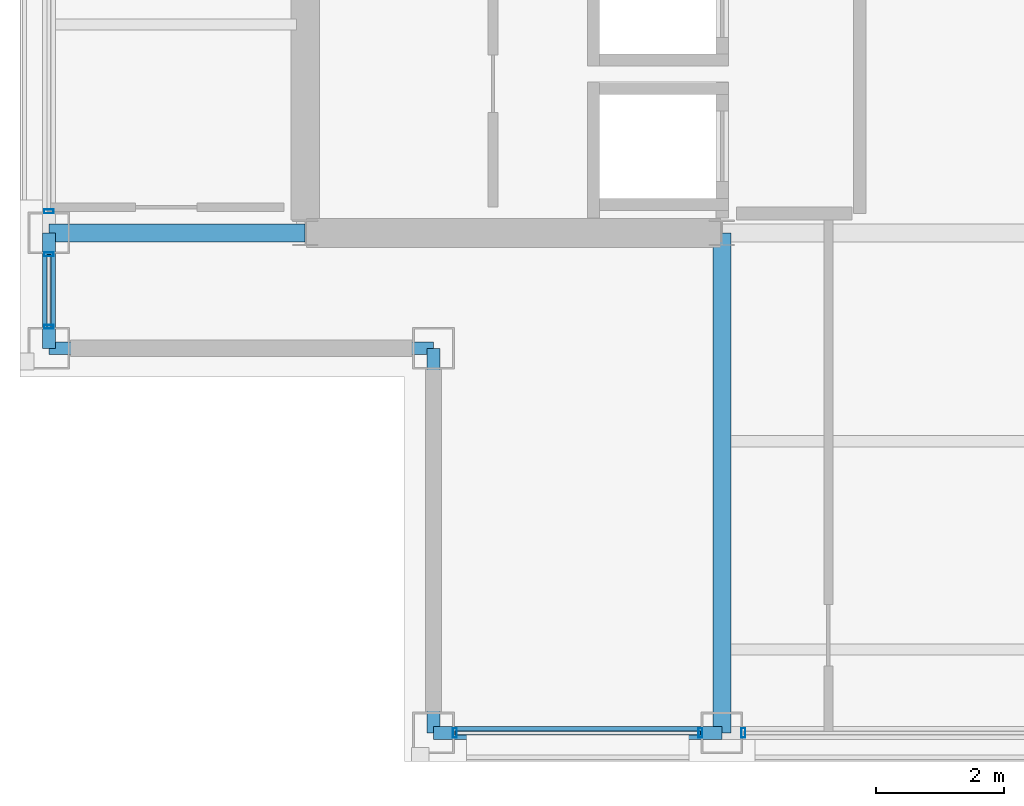
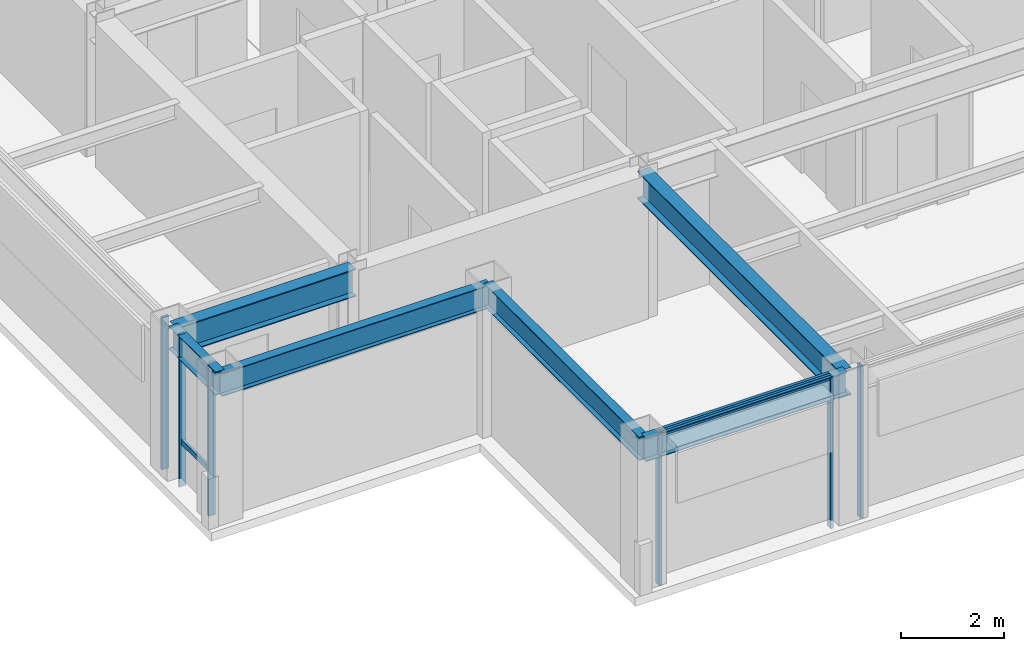
# One storey, part 3 of 24: 8 members, 6 beams, 4 elements without a shape of their own.
"""IFC4 building model written with IfcOpenShell, lengths in metres."""

from ifc_helpers import new_model, si_unit, direction, frame, origin, origin_2d, place, context, subcontext, project, spatial, hollow_rectangle, i_section, extrude, material, layer, layer_set, material_profile, profile_set, type_object, element, aggregate, save


model = new_model("IFC4")

# Units and contexts
model_context = context("Model", 3, precision=1e-05, world=origin(), true_north=direction((0.0, 1.0)))
body_context = subcontext(model_context, "Body", "Model", "MODEL_VIEW")
ifc_project = project(units=[si_unit("LENGTHUNIT", "METRE"), si_unit("AREAUNIT", "SQUARE_METRE"), si_unit("VOLUMEUNIT", "CUBIC_METRE"), si_unit("PLANEANGLEUNIT", "RADIAN"), si_unit("MASSUNIT", "GRAM", prefix="KILO")], contexts=[model_context])

# Site, building, storey
site_placement = place(None, origin())
site = spatial("IfcSite", under=ifc_project, at=site_placement, CompositionType="ELEMENT")
building_placement = place(site_placement, origin())
building = spatial("IfcBuilding", under=site, at=building_placement, Name="Brelmoor Portico Tower", CompositionType="ELEMENT")
storey_placement = place(building_placement, frame((0.0, 0.0, 229.199951171875)))
storey = spatial("IfcBuildingStorey", under=building, at=storey_placement, Name="L60", CompositionType="ELEMENT", Elevation=229.199951171875)

# Beams
ifc_material_1 = material(Name="Steel Q355B", Category="steel")
ifc_material_profile_1 = material_profile(ifc_material_1, i_section(OverallWidth=0.280029296875, OverallDepth=0.64990234375, WebThickness=0.012939453125, FlangeThickness=0.02197265625, at=origin_2d()), Name="HN 650x280x13x22")
ifc_profile_set_1 = profile_set([ifc_material_profile_1], Name="Steel Q355B")
beam_type_1 = type_object("IfcBeamType", Name="BM-PG-650", PredefinedType="BEAM", material=ifc_profile_set_1)
beam_1_placement = place(storey_placement, frame((-8.050048828125, -17.550048828125, 3.074951171875), z_axis=(0.0, 1.0, 0.0), x_axis=(-1.0, 0.0, 0.0)))
element("IfcBeam", 1, at=beam_1_placement, inside=storey, type_object=beam_type_1, Name="L60 Primary Floor Girder PG-03", PredefinedType="BEAM", context=body_context, shape_type="SweptSolid", body=[
    extrude(i_section(OverallWidth=0.280029296875, OverallDepth=0.64990234375, WebThickness=0.012939453125, FlangeThickness=0.02197265625, at=origin_2d()), origin(), (0.0, 0.0, 1.0), 7.800048828125),
])
beam_2_placement = place(storey_placement, frame((-18.550048828125, -9.75, 3.074951171875), z_axis=(1.0, 0.0, 0.0), x_axis=(0.0, 1.0, 0.0)))
element("IfcBeam", 2, at=beam_2_placement, inside=storey, type_object=beam_type_1, Name="L60 Primary Floor Girder PG-11", PredefinedType="BEAM", context=body_context, shape_type="SweptSolid", body=[
    extrude(i_section(OverallWidth=0.280029296875, OverallDepth=0.64990234375, WebThickness=0.012939453125, FlangeThickness=0.02197265625, at=origin_2d()), origin(), (0.0, 0.0, 1.0), 4.0),
])
ifc_material_profile_2 = material_profile(ifc_material_1, i_section(OverallWidth=0.199951171875, OverallDepth=0.550048828125, WebThickness=0.010009765625, FlangeThickness=0.01611328125, at=origin_2d()), Name="HN 550x200x10x16")
ifc_profile_set_2 = profile_set([ifc_material_profile_2], Name="Steel Q355B")
beam_type_2 = type_object("IfcBeamType", Name="BM-SP-550", PredefinedType="SPANDREL", material=ifc_profile_set_2)
beam_3_placement = place(storey_placement, frame((-12.550048828125, -17.550048828125, 3.125), z_axis=(1.0, 0.0, 0.0), x_axis=(0.0, 1.0, 0.0)))
element("IfcBeam", 3, at=beam_3_placement, inside=storey, type_object=beam_type_2, Name="L60 Perimeter Spandrel Beam SP-01", PredefinedType="SPANDREL", context=body_context, shape_type="SweptSolid", body=[
    extrude(i_section(OverallWidth=0.199951171875, OverallDepth=0.550048828125, WebThickness=0.010009765625, FlangeThickness=0.01611328125, at=origin_2d()), origin(), (0.0, 0.0, 1.0), 4.5),
])
beam_4_placement = place(storey_placement, frame((-18.550048828125, -11.550048828125, 3.125), z_axis=(1.0, 0.0, 0.0), x_axis=(0.0, 1.0, 0.0)))
element("IfcBeam", 4, at=beam_4_placement, inside=storey, type_object=beam_type_2, Name="L60 Perimeter Spandrel Beam SP-04", PredefinedType="SPANDREL", context=body_context, shape_type="SweptSolid", body=[
    extrude(i_section(OverallWidth=0.199951171875, OverallDepth=0.550048828125, WebThickness=0.010009765625, FlangeThickness=0.01611328125, at=origin_2d()), origin(), (0.0, 0.0, 1.0), 6.0),
])
beam_5_placement = place(storey_placement, frame((-18.550048828125, -11.550048828125, 3.125), z_axis=(0.0, 1.0, 0.0), x_axis=(-1.0, 0.0, 0.0)))
element("IfcBeam", 5, at=beam_5_placement, inside=storey, type_object=beam_type_2, Name="L60 Perimeter Spandrel Beam SP-11", PredefinedType="SPANDREL", context=body_context, shape_type="SweptSolid", body=[
    extrude(i_section(OverallWidth=0.199951171875, OverallDepth=0.550048828125, WebThickness=0.010009765625, FlangeThickness=0.01611328125, at=origin_2d()), origin(), (0.0, 0.0, 1.0), 1.800048828125),
])
beam_6_placement = place(storey_placement, frame((-12.550048828125, -17.550048828125, 3.125), z_axis=(0.0, 1.0, 0.0), x_axis=(-1.0, 0.0, 0.0)))
element("IfcBeam", 6, at=beam_6_placement, inside=storey, type_object=beam_type_2, Name="L60 Perimeter Spandrel Beam SP-14", PredefinedType="SPANDREL", context=body_context, shape_type="SweptSolid", body=[
    extrude(i_section(OverallWidth=0.199951171875, OverallDepth=0.550048828125, WebThickness=0.010009765625, FlangeThickness=0.01611328125, at=origin_2d()), origin(), (0.0, 0.0, 1.0), 6.0),
])

# Curtain wall, members
ifc_material_2 = material(Name="Anodised Aluminium Alloy 6063-T6", Category="aluminium")
ifc_layer_1 = layer(ifc_material_2, 0.179931640625)
ifc_layer_set_1 = layer_set([ifc_layer_1], Name="Anodised Aluminium Alloy 6063-T6")
curtain_wall_type_1 = type_object("IfcCurtainWallType", Name="CW-TOWER-Z4-XB", PredefinedType="NOTDEFINED", material=ifc_layer_set_1)
curtain_wall_1_placement = place(storey_placement, origin())
curtain_wall_1 = element("IfcCurtainWall", 7, at=curtain_wall_1_placement, inside=storey, type_object=curtain_wall_type_1, Name="L60 Curtain Wall CW-L60-01-1", PredefinedType="NOTDEFINED")
ifc_material_profile_3 = material_profile(ifc_material_2, hollow_rectangle(XDim=0.06005859375, YDim=0.14990234375, WallThickness=0.00390625, at=origin_2d()), Name="ALU MULLION 60x150")
ifc_profile_set_3 = profile_set([ifc_material_profile_3], Name="Anodised Aluminium Alloy 6063-T6")
member_type_1 = type_object("IfcMemberType", Name="MB-CW-MULL-150", PredefinedType="MULLION", material=ifc_profile_set_3)
member_1_placement = place(storey_placement, frame((-12.215087890625, -17.550048828125, -0.199951171875), z_axis=(0.0, 0.0, 1.0), x_axis=(1.0, 0.0, 0.0)))
member_1 = element("IfcMember", 8, at=member_1_placement, type_object=member_type_1, Name="CW-L60-01-1 Mullion 00", PredefinedType="MULLION", context=body_context, shape_type="SweptSolid", body=[
    extrude(hollow_rectangle(XDim=0.06005859375, YDim=0.14990234375, WallThickness=0.00390625, at=origin_2d()), origin(), (0.0, 0.0, 1.0), 3.60009765625),
])
member_2_placement = place(storey_placement, frame((-8.385009765625, -17.550048828125, -0.199951171875), z_axis=(0.0, 0.0, 1.0), x_axis=(1.0, 0.0, 0.0)))
member_2 = element("IfcMember", 9, at=member_2_placement, type_object=member_type_1, Name="CW-L60-01-1 Mullion 01", PredefinedType="MULLION", context=body_context, shape_type="SweptSolid", body=[
    extrude(hollow_rectangle(XDim=0.06005859375, YDim=0.14990234375, WallThickness=0.00390625, at=origin_2d()), origin(), (0.0, 0.0, 1.0), 3.60009765625),
])

# Curtain wall, member
curtain_wall_2_placement = place(storey_placement, origin())
curtain_wall_2 = element("IfcCurtainWall", 10, at=curtain_wall_2_placement, inside=storey, type_object=curtain_wall_type_1, Name="L60 Curtain Wall CW-L60-01-2", PredefinedType="NOTDEFINED")
member_3_placement = place(storey_placement, frame((-7.715087890625, -17.550048828125, -0.199951171875), z_axis=(0.0, 0.0, 1.0), x_axis=(1.0, 0.0, 0.0)))
member_3 = element("IfcMember", 11, at=member_3_placement, type_object=member_type_1, Name="CW-L60-01-2 Mullion 00", PredefinedType="MULLION", context=body_context, shape_type="SweptSolid", body=[
    extrude(hollow_rectangle(XDim=0.06005859375, YDim=0.14990234375, WallThickness=0.00390625, at=origin_2d()), origin(), (0.0, 0.0, 1.0), 3.60009765625),
])
aggregate(curtain_wall_2, [member_3])

# Curtain wall, members
ifc_layer_2 = layer(ifc_material_2, 0.179931640625)
ifc_layer_set_2 = layer_set([ifc_layer_2], Name="Anodised Aluminium Alloy 6063-T6")
curtain_wall_type_2 = type_object("IfcCurtainWallType", Name="CW-TOWER-Z4", PredefinedType="NOTDEFINED", material=ifc_layer_set_2)
curtain_wall_3_placement = place(storey_placement, origin())
curtain_wall_3 = element("IfcCurtainWall", 12, at=curtain_wall_3_placement, inside=storey, type_object=curtain_wall_type_2, Name="L60 Curtain Wall CW-L60-03-1", PredefinedType="NOTDEFINED")
member_4_placement = place(storey_placement, frame((-18.550048828125, -11.215087890625, -0.199951171875), z_axis=(0.0, 0.0, 1.0), x_axis=(0.0, 1.0, 0.0)))
member_4 = element("IfcMember", 13, at=member_4_placement, type_object=member_type_1, Name="CW-L60-03-1 Mullion 00", PredefinedType="MULLION", context=body_context, shape_type="SweptSolid", body=[
    extrude(hollow_rectangle(XDim=0.06005859375, YDim=0.14990234375, WallThickness=0.00390625, at=origin_2d()), origin(), (0.0, 0.0, 1.0), 3.60009765625),
])
member_5_placement = place(storey_placement, frame((-18.550048828125, -10.0849609375, -0.199951171875), z_axis=(0.0, 0.0, 1.0), x_axis=(0.0, 1.0, 0.0)))
member_5 = element("IfcMember", 14, at=member_5_placement, type_object=member_type_1, Name="CW-L60-03-1 Mullion 01", PredefinedType="MULLION", context=body_context, shape_type="SweptSolid", body=[
    extrude(hollow_rectangle(XDim=0.06005859375, YDim=0.14990234375, WallThickness=0.00390625, at=origin_2d()), origin(), (0.0, 0.0, 1.0), 3.60009765625),
])

# Curtain wall, member
curtain_wall_4_placement = place(storey_placement, origin())
curtain_wall_4 = element("IfcCurtainWall", 15, at=curtain_wall_4_placement, inside=storey, type_object=curtain_wall_type_1, Name="L60 Curtain Wall CW-L60-03-2", PredefinedType="NOTDEFINED")
member_6_placement = place(storey_placement, frame((-18.550048828125, -9.4150390625, -0.199951171875), z_axis=(0.0, 0.0, 1.0), x_axis=(0.0, 1.0, 0.0)))
member_6 = element("IfcMember", 16, at=member_6_placement, type_object=member_type_1, Name="CW-L60-03-2 Mullion 00", PredefinedType="MULLION", context=body_context, shape_type="SweptSolid", body=[
    extrude(hollow_rectangle(XDim=0.06005859375, YDim=0.14990234375, WallThickness=0.00390625, at=origin_2d()), origin(), (0.0, 0.0, 1.0), 3.60009765625),
])
aggregate(curtain_wall_4, [member_6])

# Member
ifc_material_profile_4 = material_profile(ifc_material_2, hollow_rectangle(XDim=0.06005859375, YDim=0.125, WallThickness=0.00341796875, at=origin_2d()), Name="ALU TRANSOM 60x125")
ifc_profile_set_4 = profile_set([ifc_material_profile_4], Name="Anodised Aluminium Alloy 6063-T6")
member_type_2 = type_object("IfcMemberType", Name="MB-CW-TRAN-125", PredefinedType="USERDEFINED", material=ifc_profile_set_4)
member_7_placement = place(storey_placement, frame((-12.215087890625, -17.550048828125, 3.337646484375), z_axis=(1.0, 0.0, 0.0), x_axis=(0.0, 1.0, 0.0)))
member_7 = element("IfcMember", 17, at=member_7_placement, type_object=member_type_2, Name="CW-L60-01-1 Transom 1-00", ObjectType="TRANSOM", PredefinedType="USERDEFINED", context=body_context, shape_type="SweptSolid", body=[
    extrude(hollow_rectangle(XDim=0.06005859375, YDim=0.125, WallThickness=0.00341796875, at=origin_2d()), origin(), (0.0, 0.0, 1.0), 3.830078125),
])

aggregate(curtain_wall_1, [member_1, member_2, member_7])

member_8_placement = place(storey_placement, frame((-18.550048828125, -11.215087890625, 0.85009765625), z_axis=(0.0, 1.0, 0.0), x_axis=(-1.0, 0.0, 0.0)))
member_8 = element("IfcMember", 18, at=member_8_placement, type_object=member_type_2, Name="CW-L60-03-1 Transom 1-00", ObjectType="TRANSOM", PredefinedType="USERDEFINED", context=body_context, shape_type="SweptSolid", body=[
    extrude(hollow_rectangle(XDim=0.06005859375, YDim=0.125, WallThickness=0.00341796875, at=origin_2d()), origin(), (0.0, 0.0, 1.0), 1.130126953125),
])

aggregate(curtain_wall_3, [member_4, member_5, member_8])

save(model, "model.ifc")
